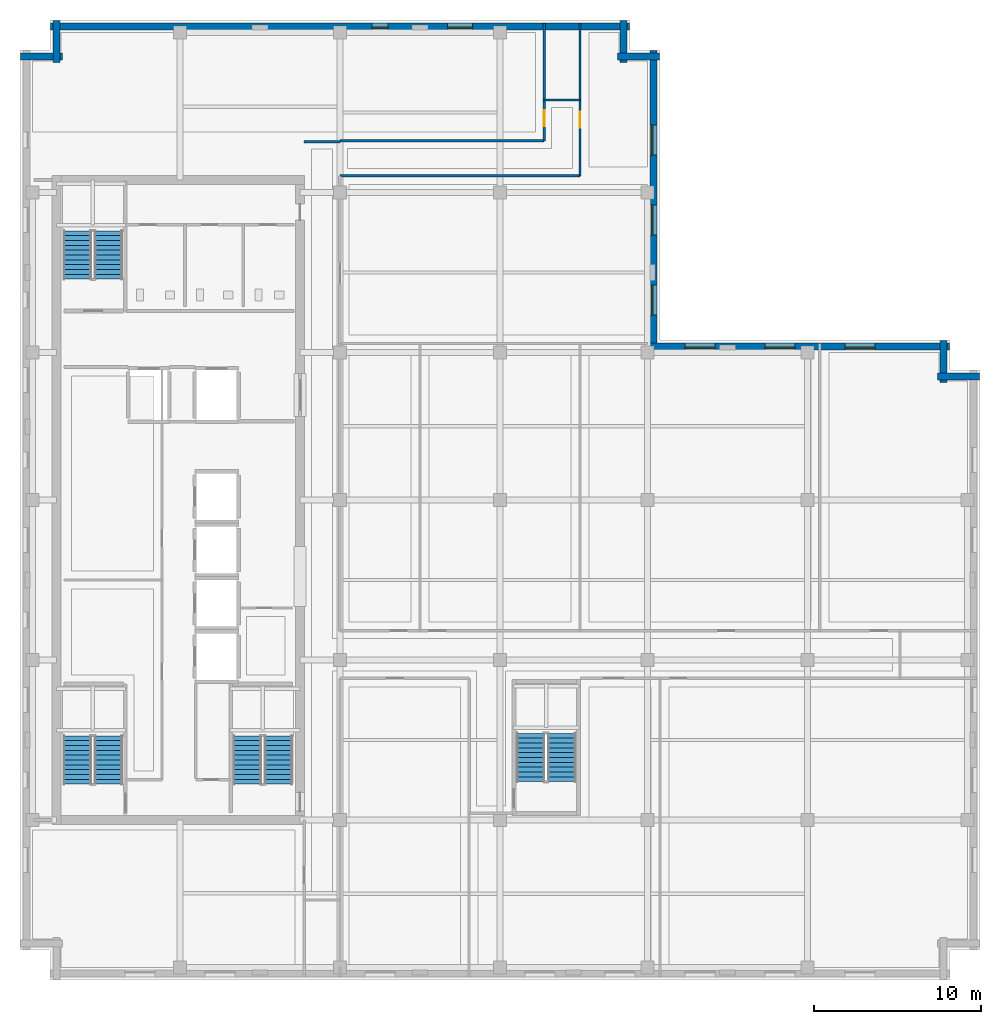
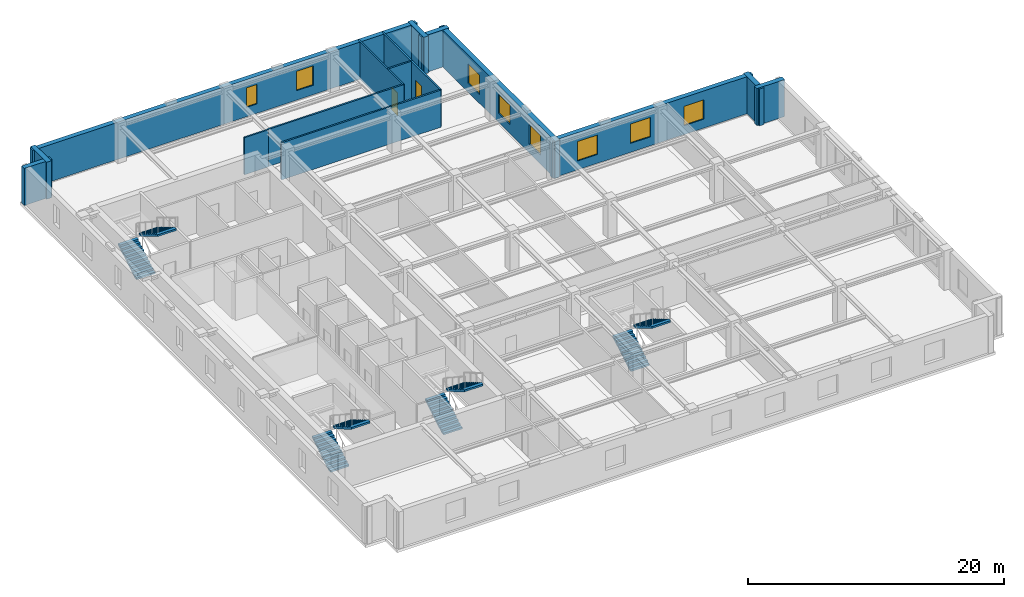
# One storey, part 6 of 10: 15 walls, 8 stair flights, 8 windows, 2 doors, 10 openings, 4 elements without a shape of their own.
"""IFC4 building model written with IfcOpenShell, lengths in metres."""

from ifc_helpers import new_model, si_unit, direction, frame, frame_2d, origin, place, context, subcontext, project, spatial, polyline, rectangle, outline, extrude, material, layer, layer_set, type_object, element, fill, aggregate, save


model = new_model("IFC4")

# Units and contexts
model_context = context("Model", 3, precision=1e-05, world=origin(), true_north=direction((0.0, 1.0)))
body_context = subcontext(model_context, "Body", "Model", "MODEL_VIEW")
ifc_project = project(units=[si_unit("LENGTHUNIT", "METRE"), si_unit("AREAUNIT", "SQUARE_METRE"), si_unit("VOLUMEUNIT", "CUBIC_METRE"), si_unit("PLANEANGLEUNIT", "RADIAN"), si_unit("MASSUNIT", "GRAM", prefix="KILO")], contexts=[model_context])

# Site, building, storey
site_placement = place(None, origin())
site = spatial("IfcSite", under=ifc_project, at=site_placement, CompositionType="ELEMENT")
building_placement = place(site_placement, origin())
building = spatial("IfcBuilding", under=site, at=building_placement, Name="Norrvale University Quadrangle", CompositionType="ELEMENT")
storey_placement = place(building_placement, frame((0.0, 0.0, 229.39990234375)))
storey = spatial("IfcBuildingStorey", under=building, at=storey_placement, Name="L58", CompositionType="ELEMENT", Elevation=229.39990234375)

# Walls
ifc_material_1 = material(Name="Buff Norman Clay Brick Masonry", Category="masonry")
ifc_layer_1 = layer(ifc_material_1, 0.419921875, Name="Buff Norman Clay Brick Masonry")
ifc_layer_set_1 = layer_set([ifc_layer_1], Name="Buff Norman Clay Brick Masonry")
wall_type_1 = type_object("IfcWallType", Name="Wall Buff Brick 420", PredefinedType="SOLIDWALL", material=ifc_layer_set_1)
for number, where, z_axis, x_axis, name in (
    (1, (57.56005859375, 36.2099609375, 0.0), (0.0, 0.0, 1.0), (-1.0, 0.0, 0.0), "Exterior Brick Facade Wall L58-05.1"),
    (2, (55.409912109375, 35.860107421875, 0.0), (0.0, 0.0, 1.0), (0.0, 1.0, 0.0), "Exterior Brick Facade Wall L58-06.1"),
):
    element("IfcWall", number, at=place(storey_placement, frame(where, z_axis=z_axis, x_axis=x_axis)), inside=storey, type_object=wall_type_1, Name=name, PredefinedType="SOLIDWALL", context=body_context, shape_type="SweptSolid", body=[
        extrude(rectangle(XDim=2.5, YDim=0.419921875, at=frame_2d((1.25, 0.0))), origin(), (0.0, 0.0, 1.0), 3.5400390625),
    ])

# Wall, openings, windows
wall_1_placement = place(storey_placement, frame((55.760009765625, 38.010009765625, 0.0), z_axis=(0.0, 0.0, 1.0), x_axis=(-1.0, 0.0, 0.0)))
wall_1 = element("IfcWall", 3, at=wall_1_placement, inside=storey, type_object=wall_type_1, Name="Exterior Brick Facade Wall L58-07.1", PredefinedType="SOLIDWALL", context=body_context, shape_type="SweptSolid", body=[
    extrude(rectangle(XDim=18.10009765625, YDim=0.419921875, at=frame_2d((9.050048828125, 0.0))), origin(), (0.0, 0.0, 1.0), 3.5400390625),
])
opening_1_placement = place(wall_1_placement, frame((4.4599609375, 0.0, 0.85009765625)))
opening_1 = element("IfcOpeningElement", 4, at=opening_1_placement, cuts=wall_1, Name="Opening W01", PredefinedType="OPENING", context=body_context, shape_type="SweptSolid", body=[
    extrude(rectangle(XDim=1.800048828125, YDim=1.85009765625, at=frame_2d((0.89990234375, 0.925048828125))), frame((0.0, 0.221923828125, 0.0), z_axis=(0.0, -1.0, 0.0), x_axis=(1.0, 0.0, 0.0)), (0.0, 0.0, 1.0), 0.44384765625),
])
opening_2_placement = place(wall_1_placement, frame((9.260009765625, 0.0, 0.85009765625)))
opening_2 = element("IfcOpeningElement", 5, at=opening_2_placement, cuts=wall_1, Name="Opening W01", PredefinedType="OPENING", context=body_context, shape_type="SweptSolid", body=[
    extrude(rectangle(XDim=1.800048828125, YDim=1.85009765625, at=frame_2d((0.89990234375, 0.925048828125))), frame((0.0, 0.221923828125, 0.0), z_axis=(0.0, -1.0, 0.0), x_axis=(1.0, 0.0, 0.0)), (0.0, 0.0, 1.0), 0.44384765625),
])
opening_3_placement = place(wall_1_placement, frame((14.06005859375, 0.0, 0.85009765625)))
opening_3 = element("IfcOpeningElement", 6, at=opening_3_placement, cuts=wall_1, Name="Opening W01", PredefinedType="OPENING", context=body_context, shape_type="SweptSolid", body=[
    extrude(rectangle(XDim=1.800048828125, YDim=1.85009765625, at=frame_2d((0.89990234375, 0.925048828125))), frame((0.0, 0.221923828125, 0.0), z_axis=(0.0, -1.0, 0.0), x_axis=(1.0, 0.0, 0.0)), (0.0, 0.0, 1.0), 0.44384765625),
])
ifc_material_2 = material(Name="Triple Low-E Argon Glazing", Category="glass")
window_type_1 = type_object("IfcWindowType", Name="Window Academic 1800x2300", PartitioningType="DOUBLE_PANEL_VERTICAL", PredefinedType="WINDOW", material=ifc_material_2)
window_1_placement = place(opening_1_placement, origin())
window_1 = element("IfcWindow", 7, at=window_1_placement, inside=storey, type_object=window_type_1, Name="Window Academic 1800x2300 WIN-L58-E07-1-01", OverallHeight=1.85009765625, OverallWidth=1.800048828125, PartitioningType="DOUBLE_PANEL_VERTICAL", PredefinedType="WINDOW", context=body_context, shape_type="SweptSolid", body=[
    extrude(rectangle(XDim=1.800048828125, YDim=1.85009765625, at=frame_2d((0.89990234375, 0.925048828125))), frame((0.0, 0.110107421875, 0.0), z_axis=(0.0, -1.0, 0.0), x_axis=(1.0, 0.0, 0.0)), (0.0, 0.0, 1.0), 0.06005859375),
])
fill(opening_1, window_1)
window_2_placement = place(opening_2_placement, origin())
window_2 = element("IfcWindow", 8, at=window_2_placement, inside=storey, type_object=window_type_1, Name="Window Academic 1800x2300 WIN-L58-E07-1-02", OverallHeight=1.85009765625, OverallWidth=1.800048828125, PartitioningType="DOUBLE_PANEL_VERTICAL", PredefinedType="WINDOW", context=body_context, shape_type="SweptSolid", body=[
    extrude(rectangle(XDim=1.800048828125, YDim=1.85009765625, at=frame_2d((0.89990234375, 0.925048828125))), frame((0.0, 0.110107421875, 0.0), z_axis=(0.0, -1.0, 0.0), x_axis=(1.0, 0.0, 0.0)), (0.0, 0.0, 1.0), 0.06005859375),
])
fill(opening_2, window_2)
window_3_placement = place(opening_3_placement, origin())
window_3 = element("IfcWindow", 9, at=window_3_placement, inside=storey, type_object=window_type_1, Name="Window Academic 1800x2300 WIN-L58-E07-1-03", OverallHeight=1.85009765625, OverallWidth=1.800048828125, PartitioningType="DOUBLE_PANEL_VERTICAL", PredefinedType="WINDOW", context=body_context, shape_type="SweptSolid", body=[
    extrude(rectangle(XDim=1.800048828125, YDim=1.85009765625, at=frame_2d((0.89990234375, 0.925048828125))), frame((0.0, 0.110107421875, 0.0), z_axis=(0.0, -1.0, 0.0), x_axis=(1.0, 0.0, 0.0)), (0.0, 0.0, 1.0), 0.06005859375),
])
fill(opening_3, window_3)

wall_2_placement = place(storey_placement, frame((38.010009765625, 37.659912109375, 0.0), z_axis=(0.0, 0.0, 1.0), x_axis=(0.0, 1.0, 0.0)))
wall_2 = element("IfcWall", 10, at=wall_2_placement, inside=storey, type_object=wall_type_1, Name="Exterior Brick Facade Wall L58-08.1", PredefinedType="SOLIDWALL", context=body_context, shape_type="SweptSolid", body=[
    extrude(rectangle(XDim=18.10009765625, YDim=0.419921875, at=frame_2d((9.050048828125, 0.0))), origin(), (0.0, 0.0, 1.0), 3.5400390625),
])
opening_4_placement = place(wall_2_placement, frame((2.239990234375, 0.0, 0.85009765625)))
opening_4 = element("IfcOpeningElement", 11, at=opening_4_placement, cuts=wall_2, Name="Opening W01", PredefinedType="OPENING", context=body_context, shape_type="SweptSolid", body=[
    extrude(rectangle(XDim=1.800048828125, YDim=1.85009765625, at=frame_2d((0.89990234375, 0.925048828125))), frame((0.0, 0.221923828125, 0.0), z_axis=(0.0, -1.0, 0.0), x_axis=(1.0, 0.0, 0.0)), (0.0, 0.0, 1.0), 0.44384765625),
])
opening_5_placement = place(wall_2_placement, frame((7.0400390625, 0.0, 0.85009765625)))
opening_5 = element("IfcOpeningElement", 12, at=opening_5_placement, cuts=wall_2, Name="Opening W01", PredefinedType="OPENING", context=body_context, shape_type="SweptSolid", body=[
    extrude(rectangle(XDim=1.800048828125, YDim=1.85009765625, at=frame_2d((0.89990234375, 0.925048828125))), frame((0.0, 0.221923828125, 0.0), z_axis=(0.0, -1.0, 0.0), x_axis=(1.0, 0.0, 0.0)), (0.0, 0.0, 1.0), 0.44384765625),
])
opening_6_placement = place(wall_2_placement, frame((11.840087890625, 0.0, 0.85009765625)))
opening_6 = element("IfcOpeningElement", 13, at=opening_6_placement, cuts=wall_2, Name="Opening W01", PredefinedType="OPENING", context=body_context, shape_type="SweptSolid", body=[
    extrude(rectangle(XDim=1.800048828125, YDim=1.85009765625, at=frame_2d((0.89990234375, 0.925048828125))), frame((0.0, 0.221923828125, 0.0), z_axis=(0.0, -1.0, 0.0), x_axis=(1.0, 0.0, 0.0)), (0.0, 0.0, 1.0), 0.44384765625),
])
window_4_placement = place(opening_4_placement, origin())
window_4 = element("IfcWindow", 14, at=window_4_placement, inside=storey, type_object=window_type_1, Name="Window Academic 1800x2300 WIN-L58-E08-1-01", OverallHeight=1.85009765625, OverallWidth=1.800048828125, PartitioningType="DOUBLE_PANEL_VERTICAL", PredefinedType="WINDOW", context=body_context, shape_type="SweptSolid", body=[
    extrude(rectangle(XDim=1.800048828125, YDim=1.85009765625, at=frame_2d((0.89990234375, 0.925048828125))), frame((0.0, 0.110107421875, 0.0), z_axis=(0.0, -1.0, 0.0), x_axis=(1.0, 0.0, 0.0)), (0.0, 0.0, 1.0), 0.06005859375),
])
fill(opening_4, window_4)
window_5_placement = place(opening_5_placement, origin())
window_5 = element("IfcWindow", 15, at=window_5_placement, inside=storey, type_object=window_type_1, Name="Window Academic 1800x2300 WIN-L58-E08-1-02", OverallHeight=1.85009765625, OverallWidth=1.800048828125, PartitioningType="DOUBLE_PANEL_VERTICAL", PredefinedType="WINDOW", context=body_context, shape_type="SweptSolid", body=[
    extrude(rectangle(XDim=1.800048828125, YDim=1.85009765625, at=frame_2d((0.89990234375, 0.925048828125))), frame((0.0, 0.110107421875, 0.0), z_axis=(0.0, -1.0, 0.0), x_axis=(1.0, 0.0, 0.0)), (0.0, 0.0, 1.0), 0.06005859375),
])
fill(opening_5, window_5)
window_6_placement = place(opening_6_placement, origin())
window_6 = element("IfcWindow", 16, at=window_6_placement, inside=storey, type_object=window_type_1, Name="Window Academic 1800x2300 WIN-L58-E08-1-03", OverallHeight=1.85009765625, OverallWidth=1.800048828125, PartitioningType="DOUBLE_PANEL_VERTICAL", PredefinedType="WINDOW", context=body_context, shape_type="SweptSolid", body=[
    extrude(rectangle(XDim=1.800048828125, YDim=1.85009765625, at=frame_2d((0.89990234375, 0.925048828125))), frame((0.0, 0.110107421875, 0.0), z_axis=(0.0, -1.0, 0.0), x_axis=(1.0, 0.0, 0.0)), (0.0, 0.0, 1.0), 0.06005859375),
])
fill(opening_6, window_6)

# Walls
for number, where, z_axis, x_axis, name in (
    (17, (38.360107421875, 55.409912109375, 0.0), (0.0, 0.0, 1.0), (-1.0, 0.0, 0.0), "Exterior Brick Facade Wall L58-09.1"),
    (18, (36.2099609375, 55.06005859375, 0.0), (0.0, 0.0, 1.0), (0.0, 1.0, 0.0), "Exterior Brick Facade Wall L58-10.1"),
):
    element("IfcWall", number, at=place(storey_placement, frame(where, z_axis=z_axis, x_axis=x_axis)), inside=storey, type_object=wall_type_1, Name=name, PredefinedType="SOLIDWALL", context=body_context, shape_type="SweptSolid", body=[
        extrude(rectangle(XDim=2.5, YDim=0.419921875, at=frame_2d((1.25, 0.0))), origin(), (0.0, 0.0, 1.0), 3.5400390625),
    ])

# Wall, openings, windows
wall_3_placement = place(storey_placement, frame((36.56005859375, 57.2099609375, 0.0), z_axis=(0.0, 0.0, 1.0), x_axis=(-1.0, 0.0, 0.0)))
wall_3 = element("IfcWall", 19, at=wall_3_placement, inside=storey, type_object=wall_type_1, Name="Exterior Brick Facade Wall L58-11.1", PredefinedType="SOLIDWALL", context=body_context, shape_type="SweptSolid", body=[
    extrude(rectangle(XDim=34.719970703125, YDim=0.419921875, at=frame_2d((17.35986328125, 0.0))), origin(), (0.0, 0.0, 1.0), 3.5400390625),
])
opening_7_placement = place(wall_3_placement, frame((9.409912109375, 0.0, 0.89990234375)))
opening_7 = element("IfcOpeningElement", 20, at=opening_7_placement, cuts=wall_3, Name="Opening W03", PredefinedType="OPENING", context=body_context, shape_type="SweptSolid", body=[
    extrude(rectangle(XDim=1.5, YDim=1.85009765625, at=frame_2d((0.75, 0.925048828125))), frame((0.0, 0.221923828125, 0.0), z_axis=(0.0, -1.0, 0.0), x_axis=(1.0, 0.0, 0.0)), (0.0, 0.0, 1.0), 0.44384765625),
])
opening_8_placement = place(wall_3_placement, frame((14.485107421875, 0.0, 0.89990234375)))
opening_8 = element("IfcOpeningElement", 21, at=opening_8_placement, cuts=wall_3, Name="Opening W04", PredefinedType="OPENING", context=body_context, shape_type="SweptSolid", body=[
    extrude(rectangle(XDim=0.949951171875, YDim=1.85009765625, at=frame_2d((0.47509765625, 0.925048828125))), frame((0.0, 0.221923828125, 0.0), z_axis=(0.0, -1.0, 0.0), x_axis=(1.0, 0.0, 0.0)), (0.0, 0.0, 1.0), 0.44384765625),
])
window_type_2 = type_object("IfcWindowType", Name="Window Narrow Pier 950x2300", PartitioningType="SINGLE_PANEL", PredefinedType="WINDOW", material=ifc_material_2)
window_7_placement = place(opening_8_placement, origin())
window_7 = element("IfcWindow", 22, at=window_7_placement, inside=storey, type_object=window_type_2, Name="Window Narrow Pier 950x2300 WIN-L58-E11-1-02", OverallHeight=1.85009765625, OverallWidth=0.949951171875, PartitioningType="SINGLE_PANEL", PredefinedType="WINDOW", context=body_context, shape_type="SweptSolid", body=[
    extrude(rectangle(XDim=0.949951171875, YDim=1.85009765625, at=frame_2d((0.47509765625, 0.925048828125))), frame((0.0, 0.110107421875, 0.0), z_axis=(0.0, -1.0, 0.0), x_axis=(1.0, 0.0, 0.0)), (0.0, 0.0, 1.0), 0.06005859375),
])
fill(opening_8, window_7)
window_type_3 = type_object("IfcWindowType", Name="Window Studio 1500x2300", PartitioningType="DOUBLE_PANEL_VERTICAL", PredefinedType="WINDOW", material=ifc_material_2)
window_8_placement = place(opening_7_placement, origin())
window_8 = element("IfcWindow", 23, at=window_8_placement, inside=storey, type_object=window_type_3, Name="Window Studio 1500x2300 WIN-L58-E11-1-01", OverallHeight=1.85009765625, OverallWidth=1.5, PartitioningType="DOUBLE_PANEL_VERTICAL", PredefinedType="WINDOW", context=body_context, shape_type="SweptSolid", body=[
    extrude(rectangle(XDim=1.5, YDim=1.85009765625, at=frame_2d((0.75, 0.925048828125))), frame((0.0, 0.110107421875, 0.0), z_axis=(0.0, -1.0, 0.0), x_axis=(1.0, 0.0, 0.0)), (0.0, 0.0, 1.0), 0.06005859375),
])
fill(opening_7, window_8)

# Walls
for number, where, z_axis, x_axis, name in (
    (24, (2.18994140625, 57.56005859375, 0.0), (0.0, 0.0, 1.0), (0.0, -1.0, 0.0), "Exterior Brick Facade Wall L58-12.1"),
    (25, (2.5400390625, 55.409912109375, 0.0), (0.0, 0.0, 1.0), (-1.0, 0.0, 0.0), "Exterior Brick Facade Wall L58-13.1"),
):
    element("IfcWall", number, at=place(storey_placement, frame(where, z_axis=z_axis, x_axis=x_axis)), inside=storey, type_object=wall_type_1, Name=name, PredefinedType="SOLIDWALL", context=body_context, shape_type="SweptSolid", body=[
        extrude(rectangle(XDim=2.5, YDim=0.419921875, at=frame_2d((1.25, 0.0))), origin(), (0.0, 0.0, 1.0), 3.5400390625),
    ])
ifc_material_3 = material(Name="Fire-Rated Gypsum Stud Partition")
ifc_layer_2 = layer(ifc_material_3, 0.14990234375, Name="Fire-Rated Gypsum Stud Partition")
ifc_layer_set_2 = layer_set([ifc_layer_2], Name="Fire-Rated Gypsum Stud Partition")
wall_type_2 = type_object("IfcWallType", Name="Wall Gypsum Corridor 150", PredefinedType="PARTITIONING", material=ifc_layer_set_2)
wall_4_placement = place(storey_placement, frame((17.050048828125, 50.300048828125, 0.0), z_axis=(0.0, 0.0, 1.0), x_axis=(1.0, 0.0, 0.0)))
element("IfcWall", 26, at=wall_4_placement, inside=storey, type_object=wall_type_2, Name="Interior Partition WL-L58-CSP-N", PredefinedType="PARTITIONING", context=body_context, shape_type="SweptSolid", body=[
    extrude(rectangle(XDim=2.14990234375, YDim=0.14990234375, at=frame_2d((1.074951171875, 0.0))), origin(), (0.0, 0.0, 1.0), 3.5400390625),
])
wall_5_placement = place(storey_placement, frame((19.199951171875, 48.25, 0.0), z_axis=(0.0, 0.0, 1.0), x_axis=(1.0, 0.0, 0.0)))
element("IfcWall", 27, at=wall_5_placement, inside=storey, type_object=wall_type_2, Name="Interior Partition WL-L58-JOGS", PredefinedType="PARTITIONING", context=body_context, shape_type="SweptSolid", body=[
    extrude(rectangle(XDim=14.400146484375, YDim=0.14990234375, at=frame_2d((7.2001953125, 0.0))), origin(), (0.0, 0.0, 1.0), 3.5400390625),
])
wall_6_placement = place(storey_placement, frame((19.199951171875, 50.35009765625, 0.0), z_axis=(0.0, 0.0, 1.0), x_axis=(1.0, 0.0, 0.0)))
element("IfcWall", 28, at=wall_6_placement, inside=storey, type_object=wall_type_2, Name="Interior Partition WL-L58-JOGN", PredefinedType="PARTITIONING", context=body_context, shape_type="SweptSolid", body=[
    extrude(rectangle(XDim=12.25, YDim=0.14990234375, at=frame_2d((6.125, 0.0))), origin(), (0.0, 0.0, 1.0), 3.5400390625),
])
wall_7_placement = place(storey_placement, frame((31.449951171875, 52.800048828125, 0.0), z_axis=(0.0, 0.0, 1.0), x_axis=(1.0, 0.0, 0.0)))
element("IfcWall", 29, at=wall_7_placement, inside=storey, type_object=wall_type_2, Name="Interior Partition WL-L58-JOGEND", PredefinedType="PARTITIONING", context=body_context, shape_type="SweptSolid", body=[
    extrude(rectangle(XDim=2.150146484375, YDim=0.14990234375, at=frame_2d((1.0751953125, 0.0))), origin(), (0.0, 0.0, 1.0), 3.5400390625),
])

# Wall, opening, door
wall_8_placement = place(storey_placement, frame((33.60009765625, 48.25, 0.0), z_axis=(0.0, 0.0, 1.0), x_axis=(0.0, 1.0, 0.0)))
wall_8 = element("IfcWall", 30, at=wall_8_placement, inside=storey, type_object=wall_type_2, Name="Interior Partition WL-L58-NECW", PredefinedType="PARTITIONING", context=body_context, shape_type="SweptSolid", body=[
    extrude(rectangle(XDim=9.1298828125, YDim=0.14990234375, at=frame_2d((4.56494140625, 0.0))), origin(), (0.0, 0.0, 1.0), 3.5400390625),
])
opening_9_placement = place(wall_8_placement, frame((2.89990234375, 0.0, 0.0)))
opening_9 = element("IfcOpeningElement", 31, at=opening_9_placement, cuts=wall_8, Name="Opening D07", PredefinedType="OPENING", context=body_context, shape_type="SweptSolid", body=[
    extrude(rectangle(XDim=0.949951171875, YDim=2.14990234375, at=frame_2d((0.47509765625, 1.074951171875))), frame((0.0, 0.0869140625, 0.0), z_axis=(0.0, -1.0, 0.0), x_axis=(1.0, 0.0, 0.0)), (0.0, 0.0, 1.0), 0.173828125),
])
ifc_material_4 = material(Name="Solid-Core Maple Door", Category="wood")
door_type = type_object("IfcDoorType", Name="Door Office 950x2150", OperationType="NOTDEFINED", PredefinedType="DOOR", material=ifc_material_4)
door_1_placement = place(opening_9_placement, origin())
door_1 = element("IfcDoor", 32, at=door_1_placement, inside=storey, type_object=door_type, Name="Door Office 950x2150 DR-L58-NE01", OperationType="SINGLE_SWING_RIGHT", OverallHeight=2.14990234375, OverallWidth=0.949951171875, PredefinedType="DOOR", context=body_context, shape_type="SweptSolid", body=[
    extrude(rectangle(XDim=0.949951171875, YDim=2.14990234375, at=frame_2d((0.47509765625, 1.074951171875))), frame((0.0, 0.02490234375, 0.0), z_axis=(0.0, -1.0, 0.0), x_axis=(1.0, 0.0, 0.0)), (0.0, 0.0, 1.0), 0.050048828125),
])
fill(opening_9, door_1)

wall_9_placement = place(storey_placement, frame((31.449951171875, 50.35009765625, 0.0), z_axis=(0.0, 0.0, 1.0), x_axis=(0.0, 1.0, 0.0)))
wall_9 = element("IfcWall", 33, at=wall_9_placement, inside=storey, type_object=wall_type_2, Name="Interior Partition WL-L58-NWCW", PredefinedType="PARTITIONING", context=body_context, shape_type="SweptSolid", body=[
    extrude(rectangle(XDim=7.02978515625, YDim=0.14990234375, at=frame_2d((3.514892578125, 0.0))), origin(), (0.0, 0.0, 1.0), 3.5400390625),
])
opening_10_placement = place(wall_9_placement, frame((0.875, 0.0, 0.0)))
opening_10 = element("IfcOpeningElement", 34, at=opening_10_placement, cuts=wall_9, Name="Opening D07", PredefinedType="OPENING", context=body_context, shape_type="SweptSolid", body=[
    extrude(rectangle(XDim=0.949951171875, YDim=2.14990234375, at=frame_2d((0.47509765625, 1.074951171875))), frame((0.0, 0.0869140625, 0.0), z_axis=(0.0, -1.0, 0.0), x_axis=(1.0, 0.0, 0.0)), (0.0, 0.0, 1.0), 0.173828125),
])
door_2_placement = place(opening_10_placement, origin())
door_2 = element("IfcDoor", 35, at=door_2_placement, inside=storey, type_object=door_type, Name="Door Office 950x2150 DR-L58-NW01", OperationType="SINGLE_SWING_RIGHT", OverallHeight=2.14990234375, OverallWidth=0.949951171875, PredefinedType="DOOR", context=body_context, shape_type="SweptSolid", body=[
    extrude(rectangle(XDim=0.949951171875, YDim=2.14990234375, at=frame_2d((0.47509765625, 1.074951171875))), frame((0.0, 0.02490234375, 0.0), z_axis=(0.0, -1.0, 0.0), x_axis=(1.0, 0.0, 0.0)), (0.0, 0.0, 1.0), 0.050048828125),
])
fill(opening_10, door_2)

# Stair, stair flights
ifc_material_5 = material(Name="Concrete C40/50", Category="concrete")
stair_type = type_object("IfcStairType", Name="Stair Tower Typ 3800", PredefinedType="TWO_STRAIGHT_RUN_STAIR", material=ifc_material_5)
stair_1_placement = place(storey_placement, origin())
stair_1 = element("IfcStair", 36, at=stair_1_placement, inside=storey, type_object=stair_type, Name="Exit Stair ST-01 L58", PredefinedType="TWO_STRAIGHT_RUN_STAIR")
stair_flight_type = type_object("IfcStairFlightType", Name="Flight Typ 1500", PredefinedType="STRAIGHT", material=ifc_material_5)
stair_flight_1_placement = place(storey_placement, frame((3.429931640625, 11.75, 0.0), z_axis=(0.0, 0.0, 1.0), x_axis=(0.0, 1.0, 0.0)))
stair_flight_1 = element("IfcStairFlight", 37, at=stair_flight_1_placement, type_object=stair_flight_type, Name="Exit Stair ST-01 L58 Lower Flight", NumberOfRisers=11, NumberOfTreads=10, PredefinedType="STRAIGHT", RiserHeight=0.172727, TreadLength=0.29, context=body_context, shape_type="SweptSolid", body=[
    extrude(outline(polyline([(0.0, 0.0), (0.0, 0.172607421875), (0.2900390625, 0.172607421875), (0.2900390625, 0.345458984375), (0.580078125, 0.345458984375), (0.580078125, 0.51806640625), (0.8701171875, 0.51806640625), (0.8701171875, 0.69091796875), (1.159912109375, 0.69091796875), (1.159912109375, 0.863525390625), (1.449951171875, 0.863525390625), (1.449951171875, 1.036376953125), (1.739990234375, 1.036376953125), (1.739990234375, 1.208984375), (2.030029296875, 1.208984375), (2.030029296875, 1.3818359375), (2.320068359375, 1.3818359375), (2.320068359375, 1.554443359375), (2.610107421875, 1.554443359375), (2.610107421875, 1.727294921875), (2.89990234375, 1.727294921875), (2.89990234375, 1.89990234375), (2.89990234375, 1.552734375), (0.29296875, 0.0), (0.0, 0.0)])), frame((0.0, 0.83984375, 0.0), z_axis=(0.0, -1.0, 0.0), x_axis=(1.0, 0.0, 0.0)), (0.0, 0.0, 1.0), 1.679931640625),
])
stair_flight_2_placement = place(storey_placement, frame((5.320068359375, 14.64990234375, 1.900146484375), z_axis=(0.0, 0.0, 1.0), x_axis=(0.0, -1.0, 0.0)))
stair_flight_2 = element("IfcStairFlight", 38, at=stair_flight_2_placement, type_object=stair_flight_type, Name="Exit Stair ST-01 L58 Upper Flight", NumberOfRisers=11, NumberOfTreads=10, PredefinedType="STRAIGHT", RiserHeight=0.172727, TreadLength=0.29, context=body_context, shape_type="SweptSolid", body=[
    extrude(outline(polyline([(0.0, 0.0), (0.0, 0.172607421875), (0.2900390625, 0.172607421875), (0.2900390625, 0.345458984375), (0.580078125, 0.345458984375), (0.580078125, 0.51806640625), (0.8701171875, 0.51806640625), (0.8701171875, 0.69091796875), (1.159912109375, 0.69091796875), (1.159912109375, 0.863525390625), (1.449951171875, 0.863525390625), (1.449951171875, 1.036376953125), (1.739990234375, 1.036376953125), (1.739990234375, 1.208984375), (2.030029296875, 1.208984375), (2.030029296875, 1.3818359375), (2.320068359375, 1.3818359375), (2.320068359375, 1.554443359375), (2.610107421875, 1.554443359375), (2.610107421875, 1.727294921875), (2.89990234375, 1.727294921875), (2.89990234375, 1.89990234375), (2.89990234375, 1.552734375), (0.29296875, 0.0), (0.0, 0.0)])), frame((0.0, 0.83984375, 0.0), z_axis=(0.0, -1.0, 0.0), x_axis=(1.0, 0.0, 0.0)), (0.0, 0.0, 1.0), 1.679931640625),
])
aggregate(stair_1, [stair_flight_1, stair_flight_2])

stair_2_placement = place(storey_placement, origin())
stair_2 = element("IfcStair", 39, at=stair_2_placement, inside=storey, type_object=stair_type, Name="Exit Stair ST-02 L58", PredefinedType="TWO_STRAIGHT_RUN_STAIR")
stair_flight_3_placement = place(storey_placement, frame((3.429931640625, 42.050048828125, 0.0), z_axis=(0.0, 0.0, 1.0), x_axis=(0.0, 1.0, 0.0)))
stair_flight_3 = element("IfcStairFlight", 40, at=stair_flight_3_placement, type_object=stair_flight_type, Name="Exit Stair ST-02 L58 Lower Flight", NumberOfRisers=11, NumberOfTreads=10, PredefinedType="STRAIGHT", RiserHeight=0.172727, TreadLength=0.29, context=body_context, shape_type="SweptSolid", body=[
    extrude(outline(polyline([(0.0, 0.0), (0.0, 0.172607421875), (0.2900390625, 0.172607421875), (0.2900390625, 0.345458984375), (0.580078125, 0.345458984375), (0.580078125, 0.51806640625), (0.8701171875, 0.51806640625), (0.8701171875, 0.69091796875), (1.159912109375, 0.69091796875), (1.159912109375, 0.863525390625), (1.449951171875, 0.863525390625), (1.449951171875, 1.036376953125), (1.739990234375, 1.036376953125), (1.739990234375, 1.208984375), (2.030029296875, 1.208984375), (2.030029296875, 1.3818359375), (2.320068359375, 1.3818359375), (2.320068359375, 1.554443359375), (2.610107421875, 1.554443359375), (2.610107421875, 1.727294921875), (2.89990234375, 1.727294921875), (2.89990234375, 1.89990234375), (2.89990234375, 1.552734375), (0.29296875, 0.0), (0.0, 0.0)])), frame((0.0, 0.83984375, 0.0), z_axis=(0.0, -1.0, 0.0), x_axis=(1.0, 0.0, 0.0)), (0.0, 0.0, 1.0), 1.679931640625),
])
stair_flight_4_placement = place(storey_placement, frame((5.320068359375, 44.949951171875, 1.900146484375), z_axis=(0.0, 0.0, 1.0), x_axis=(0.0, -1.0, 0.0)))
stair_flight_4 = element("IfcStairFlight", 41, at=stair_flight_4_placement, type_object=stair_flight_type, Name="Exit Stair ST-02 L58 Upper Flight", NumberOfRisers=11, NumberOfTreads=10, PredefinedType="STRAIGHT", RiserHeight=0.172727, TreadLength=0.29, context=body_context, shape_type="SweptSolid", body=[
    extrude(outline(polyline([(0.0, 0.0), (0.0, 0.172607421875), (0.2900390625, 0.172607421875), (0.2900390625, 0.345458984375), (0.580078125, 0.345458984375), (0.580078125, 0.51806640625), (0.8701171875, 0.51806640625), (0.8701171875, 0.69091796875), (1.159912109375, 0.69091796875), (1.159912109375, 0.863525390625), (1.449951171875, 0.863525390625), (1.449951171875, 1.036376953125), (1.739990234375, 1.036376953125), (1.739990234375, 1.208984375), (2.030029296875, 1.208984375), (2.030029296875, 1.3818359375), (2.320068359375, 1.3818359375), (2.320068359375, 1.554443359375), (2.610107421875, 1.554443359375), (2.610107421875, 1.727294921875), (2.89990234375, 1.727294921875), (2.89990234375, 1.89990234375), (2.89990234375, 1.552734375), (0.29296875, 0.0), (0.0, 0.0)])), frame((0.0, 0.83984375, 0.0), z_axis=(0.0, -1.0, 0.0), x_axis=(1.0, 0.0, 0.0)), (0.0, 0.0, 1.0), 1.679931640625),
])
aggregate(stair_2, [stair_flight_3, stair_flight_4])

stair_3_placement = place(storey_placement, origin())
stair_3 = element("IfcStair", 42, at=stair_3_placement, inside=storey, type_object=stair_type, Name="Exit Stair ST-03 L58", PredefinedType="TWO_STRAIGHT_RUN_STAIR")
stair_flight_5_placement = place(storey_placement, frame((13.6298828125, 11.75, 0.0), z_axis=(0.0, 0.0, 1.0), x_axis=(0.0, 1.0, 0.0)))
stair_flight_5 = element("IfcStairFlight", 43, at=stair_flight_5_placement, type_object=stair_flight_type, Name="Exit Stair ST-03 L58 Lower Flight", NumberOfRisers=11, NumberOfTreads=10, PredefinedType="STRAIGHT", RiserHeight=0.172727, TreadLength=0.29, context=body_context, shape_type="SweptSolid", body=[
    extrude(outline(polyline([(0.0, 0.0), (0.0, 0.172607421875), (0.2900390625, 0.172607421875), (0.2900390625, 0.345458984375), (0.580078125, 0.345458984375), (0.580078125, 0.51806640625), (0.8701171875, 0.51806640625), (0.8701171875, 0.69091796875), (1.159912109375, 0.69091796875), (1.159912109375, 0.863525390625), (1.449951171875, 0.863525390625), (1.449951171875, 1.036376953125), (1.739990234375, 1.036376953125), (1.739990234375, 1.208984375), (2.030029296875, 1.208984375), (2.030029296875, 1.3818359375), (2.320068359375, 1.3818359375), (2.320068359375, 1.554443359375), (2.610107421875, 1.554443359375), (2.610107421875, 1.727294921875), (2.89990234375, 1.727294921875), (2.89990234375, 1.89990234375), (2.89990234375, 1.552734375), (0.29296875, 0.0), (0.0, 0.0)])), frame((0.0, 0.83984375, 0.0), z_axis=(0.0, -1.0, 0.0), x_axis=(1.0, 0.0, 0.0)), (0.0, 0.0, 1.0), 1.679931640625),
])
stair_flight_6_placement = place(storey_placement, frame((15.52001953125, 14.64990234375, 1.900146484375), z_axis=(0.0, 0.0, 1.0), x_axis=(0.0, -1.0, 0.0)))
stair_flight_6 = element("IfcStairFlight", 44, at=stair_flight_6_placement, type_object=stair_flight_type, Name="Exit Stair ST-03 L58 Upper Flight", NumberOfRisers=11, NumberOfTreads=10, PredefinedType="STRAIGHT", RiserHeight=0.172727, TreadLength=0.29, context=body_context, shape_type="SweptSolid", body=[
    extrude(outline(polyline([(0.0, 0.0), (0.0, 0.172607421875), (0.2900390625, 0.172607421875), (0.2900390625, 0.345458984375), (0.580078125, 0.345458984375), (0.580078125, 0.51806640625), (0.8701171875, 0.51806640625), (0.8701171875, 0.69091796875), (1.159912109375, 0.69091796875), (1.159912109375, 0.863525390625), (1.449951171875, 0.863525390625), (1.449951171875, 1.036376953125), (1.739990234375, 1.036376953125), (1.739990234375, 1.208984375), (2.030029296875, 1.208984375), (2.030029296875, 1.3818359375), (2.320068359375, 1.3818359375), (2.320068359375, 1.554443359375), (2.610107421875, 1.554443359375), (2.610107421875, 1.727294921875), (2.89990234375, 1.727294921875), (2.89990234375, 1.89990234375), (2.89990234375, 1.552734375), (0.29296875, 0.0), (0.0, 0.0)])), frame((0.0, 0.83984375, 0.0), z_axis=(0.0, -1.0, 0.0), x_axis=(1.0, 0.0, 0.0)), (0.0, 0.0, 1.0), 1.679931640625),
])
aggregate(stair_3, [stair_flight_5, stair_flight_6])

stair_4_placement = place(storey_placement, origin())
stair_4 = element("IfcStair", 45, at=stair_4_placement, inside=storey, type_object=stair_type, Name="Exit Stair ST-04 L58", PredefinedType="TWO_STRAIGHT_RUN_STAIR")
stair_flight_7_placement = place(storey_placement, frame((30.6298828125, 11.89990234375, 0.0), z_axis=(0.0, 0.0, 1.0), x_axis=(0.0, 1.0, 0.0)))
stair_flight_7 = element("IfcStairFlight", 46, at=stair_flight_7_placement, type_object=stair_flight_type, Name="Exit Stair ST-04 L58 Lower Flight", NumberOfRisers=11, NumberOfTreads=10, PredefinedType="STRAIGHT", RiserHeight=0.172727, TreadLength=0.29, context=body_context, shape_type="SweptSolid", body=[
    extrude(outline(polyline([(0.0, 0.0), (0.0, 0.172607421875), (0.2900390625, 0.172607421875), (0.2900390625, 0.345458984375), (0.580078125, 0.345458984375), (0.580078125, 0.51806640625), (0.8701171875, 0.51806640625), (0.8701171875, 0.69091796875), (1.159912109375, 0.69091796875), (1.159912109375, 0.863525390625), (1.449951171875, 0.863525390625), (1.449951171875, 1.036376953125), (1.739990234375, 1.036376953125), (1.739990234375, 1.208984375), (2.030029296875, 1.208984375), (2.030029296875, 1.3818359375), (2.320068359375, 1.3818359375), (2.320068359375, 1.554443359375), (2.610107421875, 1.554443359375), (2.610107421875, 1.727294921875), (2.89990234375, 1.727294921875), (2.89990234375, 1.89990234375), (2.89990234375, 1.552734375), (0.29296875, 0.0), (0.0, 0.0)])), frame((0.0, 0.83984375, 0.0), z_axis=(0.0, -1.0, 0.0), x_axis=(1.0, 0.0, 0.0)), (0.0, 0.0, 1.0), 1.679931640625),
])
stair_flight_8_placement = place(storey_placement, frame((32.52001953125, 14.800048828125, 1.900146484375), z_axis=(0.0, 0.0, 1.0), x_axis=(0.0, -1.0, 0.0)))
stair_flight_8 = element("IfcStairFlight", 47, at=stair_flight_8_placement, type_object=stair_flight_type, Name="Exit Stair ST-04 L58 Upper Flight", NumberOfRisers=11, NumberOfTreads=10, PredefinedType="STRAIGHT", RiserHeight=0.172727, TreadLength=0.29, context=body_context, shape_type="SweptSolid", body=[
    extrude(outline(polyline([(0.0, 0.0), (0.0, 0.172607421875), (0.2900390625, 0.172607421875), (0.2900390625, 0.345458984375), (0.580078125, 0.345458984375), (0.580078125, 0.51806640625), (0.8701171875, 0.51806640625), (0.8701171875, 0.69091796875), (1.159912109375, 0.69091796875), (1.159912109375, 0.863525390625), (1.449951171875, 0.863525390625), (1.449951171875, 1.036376953125), (1.739990234375, 1.036376953125), (1.739990234375, 1.208984375), (2.030029296875, 1.208984375), (2.030029296875, 1.3818359375), (2.320068359375, 1.3818359375), (2.320068359375, 1.554443359375), (2.610107421875, 1.554443359375), (2.610107421875, 1.727294921875), (2.89990234375, 1.727294921875), (2.89990234375, 1.89990234375), (2.89990234375, 1.552734375), (0.29296875, 0.0), (0.0, 0.0)])), frame((0.0, 0.83984375, 0.0), z_axis=(0.0, -1.0, 0.0), x_axis=(1.0, 0.0, 0.0)), (0.0, 0.0, 1.0), 1.679931640625),
])
aggregate(stair_4, [stair_flight_7, stair_flight_8])

save(model, "model.ifc")
